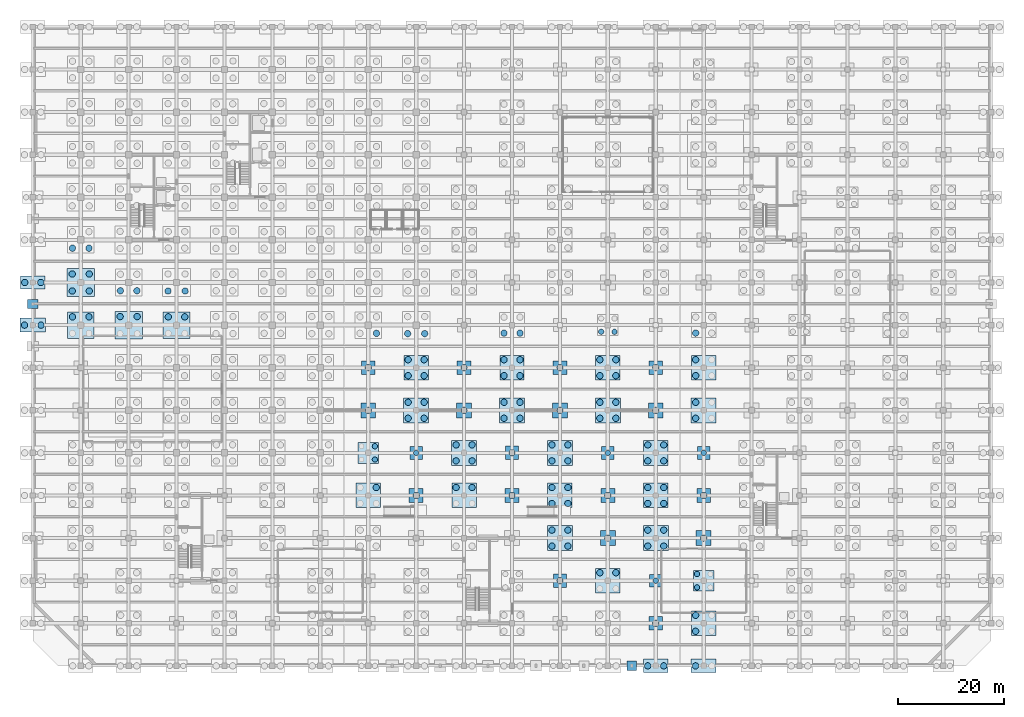
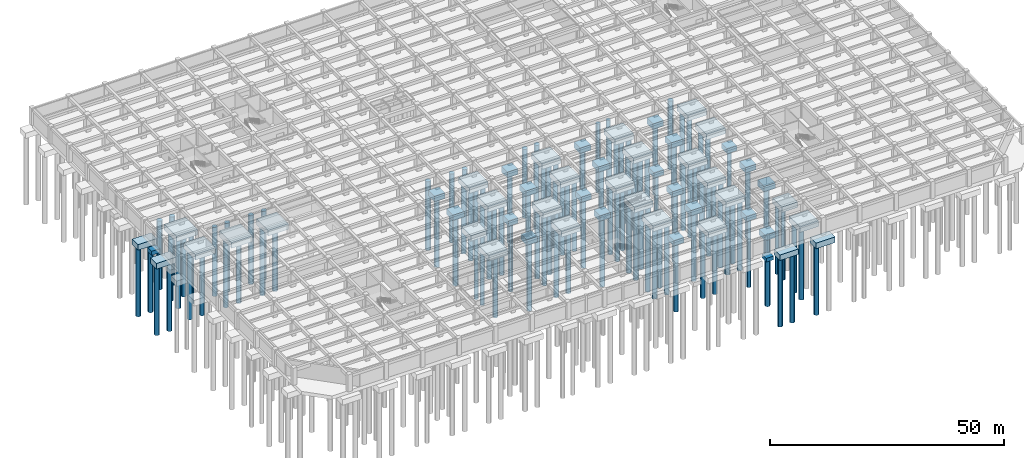
# One storey, part 3 of 31: 119 piles, 52 footings.
"""IFC4 building model written with IfcOpenShell, lengths in metres."""

from ifc_helpers import new_model, si_unit, direction, frame, origin, origin_2d, place, context, subcontext, project, spatial, rectangle, circle, extrude, material, layer, layer_set, material_profile, profile_set, type_object, element, save


model = new_model("IFC4")

# Units and contexts
model_context = context("Model", 3, precision=1e-05, world=origin(), true_north=direction((0.0, 1.0)))
body_context = subcontext(model_context, "Body", "Model", "MODEL_VIEW")
ifc_project = project(units=[si_unit("LENGTHUNIT", "METRE"), si_unit("AREAUNIT", "SQUARE_METRE"), si_unit("VOLUMEUNIT", "CUBIC_METRE"), si_unit("PLANEANGLEUNIT", "RADIAN"), si_unit("MASSUNIT", "GRAM", prefix="KILO")], contexts=[model_context])

# Site, building, storey
site_placement = place(None, origin())
site = spatial("IfcSite", under=ifc_project, at=site_placement, CompositionType="ELEMENT")
building_placement = place(site_placement, origin())
building = spatial("IfcBuilding", under=site, at=building_placement, Name="Zaverband Oceanarium and Marine Research Institute", CompositionType="ELEMENT")
storey_placement = place(building_placement, frame((0.0, 0.0, -9.0)))
storey = spatial("IfcBuildingStorey", under=building, at=storey_placement, Name="B2", CompositionType="ELEMENT", Elevation=-9.0)

# Footings
ifc_material_1 = material(Name="Concrete C50/60", Category="concrete")
ifc_layer_1 = layer(ifc_material_1, 1.39990234375, Name="Concrete C50/60")
ifc_layer_set_1 = layer_set([ifc_layer_1], Name="Concrete C50/60")
footing_type_1 = type_object("IfcFootingType", Name="PC-2400x2400x1400", PredefinedType="PILE_CAP", material=ifc_layer_set_1)
for number, where, z_axis, x_axis, name in (
    (1, (72.0, 40.0, -2.300048828125), (0.0, 0.0, 1.0), (1.0, 0.0, 0.0), "Reinforced concrete pile cap PC-2400x2400x1400"),
    (2, (108.0, 40.0, -2.300048828125), (0.0, 0.0, 1.0), (1.0, 0.0, 0.0), "Reinforced concrete pile cap PC-2400x2400x1400"),
    (3, (117.0, 16.0, -2.300048828125), (0.0, 0.0, 1.0), (1.0, 0.0, 0.0), "Reinforced concrete pile cap PC-2400x2400x1400"),
    (4, (126.0, 40.0, -2.300048828125), (0.0, 0.0, 1.0), (1.0, 0.0, 0.0), "Reinforced concrete pile cap PC-2400x2400x1400"),
):
    element("IfcFooting", number, at=place(storey_placement, frame(where, z_axis=z_axis, x_axis=x_axis)), inside=storey, type_object=footing_type_1, Name=name, PredefinedType="PILE_CAP", context=body_context, shape_type="SweptSolid", body=[
        extrude(rectangle(XDim=2.39990234375, YDim=2.39990234375, at=origin_2d()), origin(), (0.0, 0.0, 1.0), 1.39990234375),
    ])
ifc_layer_2 = layer(ifc_material_1, 1.449951171875, Name="Concrete C50/60")
ifc_layer_set_2 = layer_set([ifc_layer_2], Name="Concrete C50/60")
footing_type_2 = type_object("IfcFootingType", Name="PC-2500x2500x1450", PredefinedType="PILE_CAP", material=ifc_layer_set_2)
for number, where, z_axis, x_axis, name in (
    (5, (90.0, 40.0, -2.35009765625), (0.0, 0.0, 1.0), (1.0, 0.0, 0.0), "Reinforced concrete pile cap PC-2500x2500x1450"),
    (6, (99.0, 16.0, -2.35009765625), (0.0, 0.0, 1.0), (1.0, 0.0, 0.0), "Reinforced concrete pile cap PC-2500x2500x1450"),
):
    element("IfcFooting", number, at=place(storey_placement, frame(where, z_axis=z_axis, x_axis=x_axis)), inside=storey, type_object=footing_type_2, Name=name, PredefinedType="PILE_CAP", context=body_context, shape_type="SweptSolid", body=[
        extrude(rectangle(XDim=2.5, YDim=2.5, at=origin_2d()), origin(), (0.0, 0.0, 1.0), 1.449951171875),
    ])
ifc_layer_3 = layer(ifc_material_1, 1.5, Name="Concrete C50/60")
ifc_layer_set_3 = layer_set([ifc_layer_3], Name="Concrete C50/60")
footing_type_3 = type_object("IfcFootingType", Name="PC-2600x2600x1500", PredefinedType="PILE_CAP", material=ifc_layer_set_3)
for number, where, z_axis, x_axis, name in (
    (7, (63.0, 56.0, -2.39990234375), (0.0, 0.0, 1.0), (1.0, 0.0, 0.0), "Reinforced concrete pile cap PC-2600x2600x1500"),
    (8, (72.0, 32.0, -2.39990234375), (0.0, 0.0, 1.0), (1.0, 0.0, 0.0), "Reinforced concrete pile cap PC-2600x2600x1500"),
    (9, (81.0, 56.0, -2.39990234375), (0.0, 0.0, 1.0), (1.0, 0.0, 0.0), "Reinforced concrete pile cap PC-2600x2600x1500"),
    (10, (90.0, 32.0, -2.39990234375), (0.0, 0.0, 1.0), (1.0, 0.0, 0.0), "Reinforced concrete pile cap PC-2600x2600x1500"),
    (11, (99.0, 56.0, -2.39990234375), (0.0, 0.0, 1.0), (1.0, 0.0, 0.0), "Reinforced concrete pile cap PC-2600x2600x1500"),
    (12, (108.0, 32.0, -2.39990234375), (0.0, 0.0, 1.0), (1.0, 0.0, 0.0), "Reinforced concrete pile cap PC-2600x2600x1500"),
    (13, (117.0, 8.0, -2.39990234375), (0.0, 0.0, 1.0), (1.0, 0.0, 0.0), "Reinforced concrete pile cap PC-2600x2600x1500"),
    (14, (117.0, 56.0, -2.39990234375), (0.0, 0.0, 1.0), (1.0, 0.0, 0.0), "Reinforced concrete pile cap PC-2600x2600x1500"),
    (15, (126.0, 32.0, -2.39990234375), (0.0, 0.0, 1.0), (1.0, 0.0, 0.0), "Reinforced concrete pile cap PC-2600x2600x1500"),
):
    element("IfcFooting", number, at=place(storey_placement, frame(where, z_axis=z_axis, x_axis=x_axis)), inside=storey, type_object=footing_type_3, Name=name, PredefinedType="PILE_CAP", context=body_context, shape_type="SweptSolid", body=[
        extrude(rectangle(XDim=2.60009765625, YDim=2.60009765625, at=origin_2d()), origin(), (0.0, 0.0, 1.0), 1.5),
    ])
ifc_layer_4 = layer(ifc_material_1, 1.5, Name="Concrete C50/60")
ifc_layer_set_4 = layer_set([ifc_layer_4], Name="Concrete C50/60")
footing_type_4 = type_object("IfcFootingType", Name="PC-2800x2800x1500", PredefinedType="PILE_CAP", material=ifc_layer_set_4)
for number, where, z_axis, x_axis, name in (
    (16, (63.0, 48.0, -2.39990234375), (0.0, 0.0, 1.0), (1.0, 0.0, 0.0), "Reinforced concrete pile cap PC-2800x2800x1500"),
    (17, (81.0, 48.0, -2.39990234375), (0.0, 0.0, 1.0), (1.0, 0.0, 0.0), "Reinforced concrete pile cap PC-2800x2800x1500"),
    (18, (99.0, 48.0, -2.39990234375), (0.0, 0.0, 1.0), (1.0, 0.0, 0.0), "Reinforced concrete pile cap PC-2800x2800x1500"),
    (19, (108.0, 24.0, -2.39990234375), (0.0, 0.0, 1.0), (1.0, 0.0, 0.0), "Reinforced concrete pile cap PC-2800x2800x1500"),
    (20, (117.0, 48.0, -2.39990234375), (0.0, 0.0, 1.0), (1.0, 0.0, 0.0), "Reinforced concrete pile cap PC-2800x2800x1500"),
    (21, (126.0, 24.0, -2.39990234375), (0.0, 0.0, 1.0), (1.0, 0.0, 0.0), "Reinforced concrete pile cap PC-2800x2800x1500"),
):
    element("IfcFooting", number, at=place(storey_placement, frame(where, z_axis=z_axis, x_axis=x_axis)), inside=storey, type_object=footing_type_4, Name=name, PredefinedType="PILE_CAP", context=body_context, shape_type="SweptSolid", body=[
        extrude(rectangle(XDim=2.800048828125, YDim=2.800048828125, at=origin_2d()), origin(), (0.0, 0.0, 1.0), 1.5),
    ])
ifc_layer_5 = layer(ifc_material_1, 1.449951171875, Name="Concrete C50/60")
ifc_layer_set_5 = layer_set([ifc_layer_5], Name="Concrete C50/60")
footing_type_5 = type_object("IfcFootingType", Name="PC-3900x3900x1450", PredefinedType="PILE_CAP", material=ifc_layer_set_5)
for number, where, z_axis, x_axis, name in (
    (22, (63.0, 40.0, -2.35009765625), (0.0, 0.0, 1.0), (1.0, 0.0, 0.0), "Reinforced concrete pile cap PC-3900x3900x1450"),
    (23, (126.0, 16.0, -2.35009765625), (0.0, 0.0, 1.0), (1.0, 0.0, 0.0), "Reinforced concrete pile cap PC-3900x3900x1450"),
):
    element("IfcFooting", number, at=place(storey_placement, frame(where, z_axis=z_axis, x_axis=x_axis)), inside=storey, type_object=footing_type_5, Name=name, PredefinedType="PILE_CAP", context=body_context, shape_type="SweptSolid", body=[
        extrude(rectangle(XDim=3.89990234375, YDim=3.89990234375, at=origin_2d()), origin(), (0.0, 0.0, 1.0), 1.449951171875),
    ])
ifc_layer_6 = layer(ifc_material_1, 1.449951171875, Name="Concrete C50/60")
ifc_layer_set_6 = layer_set([ifc_layer_6], Name="Concrete C50/60")
footing_type_6 = type_object("IfcFootingType", Name="PC-4600x2500x1450", PredefinedType="PILE_CAP", material=ifc_layer_set_6)
for number, where, z_axis, x_axis, name in (
    (24, (0.0, 72.0, -2.35009765625), (0.0, 0.0, 1.0), (1.0, 0.0, 0.0), "Reinforced concrete pile cap PC-4600x2500x1450"),
    (25, (117.0, 0.0, -2.35009765625), (0.0, 0.0, 1.0), (1.0, 0.0, 0.0), "Reinforced concrete pile cap PC-4600x2500x1450"),
):
    element("IfcFooting", number, at=place(storey_placement, frame(where, z_axis=z_axis, x_axis=x_axis)), inside=storey, type_object=footing_type_6, Name=name, PredefinedType="PILE_CAP", context=body_context, shape_type="SweptSolid", body=[
        extrude(rectangle(XDim=4.60009765625, YDim=2.5, at=origin_2d()), origin(), (0.0, 0.0, 1.0), 1.449951171875),
    ])
ifc_layer_7 = layer(ifc_material_1, 1.5, Name="Concrete C50/60")
ifc_layer_set_7 = layer_set([ifc_layer_7], Name="Concrete C50/60")
footing_type_7 = type_object("IfcFootingType", Name="PC-4600x4600x1500", PredefinedType="PILE_CAP", material=ifc_layer_set_7)
for number, where, z_axis, x_axis, name in (
    (26, (63.0, 32.0, -2.39990234375), (0.0, 0.0, 1.0), (1.0, 0.0, 0.0), "Reinforced concrete pile cap PC-4600x4600x1500"),
    (27, (72.0, 56.0, -2.39990234375), (0.0, 0.0, 1.0), (1.0, 0.0, 0.0), "Reinforced concrete pile cap PC-4600x4600x1500"),
    (28, (81.0, 32.0, -2.39990234375), (0.0, 0.0, 1.0), (1.0, 0.0, 0.0), "Reinforced concrete pile cap PC-4600x4600x1500"),
    (29, (90.0, 56.0, -2.39990234375), (0.0, 0.0, 1.0), (1.0, 0.0, 0.0), "Reinforced concrete pile cap PC-4600x4600x1500"),
    (30, (99.0, 32.0, -2.39990234375), (0.0, 0.0, 1.0), (1.0, 0.0, 0.0), "Reinforced concrete pile cap PC-4600x4600x1500"),
    (31, (108.0, 56.0, -2.39990234375), (0.0, 0.0, 1.0), (1.0, 0.0, 0.0), "Reinforced concrete pile cap PC-4600x4600x1500"),
    (32, (117.0, 32.0, -2.39990234375), (0.0, 0.0, 1.0), (1.0, 0.0, 0.0), "Reinforced concrete pile cap PC-4600x4600x1500"),
    (33, (126.0, 8.0, -2.39990234375), (0.0, 0.0, 1.0), (1.0, 0.0, 0.0), "Reinforced concrete pile cap PC-4600x4600x1500"),
    (34, (126.0, 56.0, -2.39990234375), (0.0, 0.0, 1.0), (1.0, 0.0, 0.0), "Reinforced concrete pile cap PC-4600x4600x1500"),
):
    element("IfcFooting", number, at=place(storey_placement, frame(where, z_axis=z_axis, x_axis=x_axis)), inside=storey, type_object=footing_type_7, Name=name, PredefinedType="PILE_CAP", context=body_context, shape_type="SweptSolid", body=[
        extrude(rectangle(XDim=4.60009765625, YDim=4.60009765625, at=origin_2d()), origin(), (0.0, 0.0, 1.0), 1.5),
    ])
ifc_layer_8 = layer(ifc_material_1, 1.449951171875, Name="Concrete C50/60")
ifc_layer_set_8 = layer_set([ifc_layer_8], Name="Concrete C50/60")
footing_type_8 = type_object("IfcFootingType", Name="PC-4650x4650x1450", PredefinedType="PILE_CAP", material=ifc_layer_set_8)
for number, where, z_axis, x_axis, name in (
    (35, (81.0, 40.0, -2.35009765625), (0.0, 0.0, 1.0), (1.0, 0.0, 0.0), "Reinforced concrete pile cap PC-4650x4650x1450"),
    (36, (99.0, 40.0, -2.35009765625), (0.0, 0.0, 1.0), (1.0, 0.0, 0.0), "Reinforced concrete pile cap PC-4650x4650x1450"),
    (37, (108.0, 16.0, -2.35009765625), (0.0, 0.0, 1.0), (1.0, 0.0, 0.0), "Reinforced concrete pile cap PC-4650x4650x1450"),
    (38, (117.0, 40.0, -2.35009765625), (0.0, 0.0, 1.0), (1.0, 0.0, 0.0), "Reinforced concrete pile cap PC-4650x4650x1450"),
):
    element("IfcFooting", number, at=place(storey_placement, frame(where, z_axis=z_axis, x_axis=x_axis)), inside=storey, type_object=footing_type_8, Name=name, PredefinedType="PILE_CAP", context=body_context, shape_type="SweptSolid", body=[
        extrude(rectangle(XDim=4.64990234375, YDim=4.64990234375, at=origin_2d()), origin(), (0.0, 0.0, 1.0), 1.449951171875),
    ])
ifc_layer_9 = layer(ifc_material_1, 1.5, Name="Concrete C50/60")
ifc_layer_set_9 = layer_set([ifc_layer_9], Name="Concrete C50/60")
footing_type_9 = type_object("IfcFootingType", Name="PC-4700x2550x1500", PredefinedType="PILE_CAP", material=ifc_layer_set_9)
footing_1_placement = place(storey_placement, frame((126.0, 0.0, -2.39990234375), z_axis=(0.0, 0.0, 1.0), x_axis=(1.0, 0.0, 0.0)))
element("IfcFooting", 39, at=footing_1_placement, inside=storey, type_object=footing_type_9, Name="Reinforced concrete pile cap PC-4700x2550x1500", PredefinedType="PILE_CAP", context=body_context, shape_type="SweptSolid", body=[
    extrude(rectangle(XDim=4.699951171875, YDim=2.550048828125, at=origin_2d()), origin(), (0.0, 0.0, 1.0), 1.5),
])
ifc_layer_10 = layer(ifc_material_1, 1.5, Name="Concrete C50/60")
ifc_layer_set_10 = layer_set([ifc_layer_10], Name="Concrete C50/60")
footing_type_10 = type_object("IfcFootingType", Name="PC-4700x4700x1500", PredefinedType="PILE_CAP", material=ifc_layer_set_10)
for number, where, z_axis, x_axis, name in (
    (40, (72.0, 48.0, -2.39990234375), (0.0, 0.0, 1.0), (1.0, 0.0, 0.0), "Reinforced concrete pile cap PC-4700x4700x1500"),
    (41, (90.0, 48.0, -2.39990234375), (0.0, 0.0, 1.0), (1.0, 0.0, 0.0), "Reinforced concrete pile cap PC-4700x4700x1500"),
    (42, (99.0, 24.0, -2.39990234375), (0.0, 0.0, 1.0), (1.0, 0.0, 0.0), "Reinforced concrete pile cap PC-4700x4700x1500"),
    (43, (108.0, 48.0, -2.39990234375), (0.0, 0.0, 1.0), (1.0, 0.0, 0.0), "Reinforced concrete pile cap PC-4700x4700x1500"),
    (44, (117.0, 24.0, -2.39990234375), (0.0, 0.0, 1.0), (1.0, 0.0, 0.0), "Reinforced concrete pile cap PC-4700x4700x1500"),
    (45, (126.0, 48.0, -2.39990234375), (0.0, 0.0, 1.0), (1.0, 0.0, 0.0), "Reinforced concrete pile cap PC-4700x4700x1500"),
):
    element("IfcFooting", number, at=place(storey_placement, frame(where, z_axis=z_axis, x_axis=x_axis)), inside=storey, type_object=footing_type_10, Name=name, PredefinedType="PILE_CAP", context=body_context, shape_type="SweptSolid", body=[
        extrude(rectangle(XDim=4.699951171875, YDim=4.699951171875, at=origin_2d()), origin(), (0.0, 0.0, 1.0), 1.5),
    ])
ifc_layer_11 = layer(ifc_material_1, 1.5, Name="Concrete C50/60")
ifc_layer_set_11 = layer_set([ifc_layer_11], Name="Concrete C50/60")
footing_type_11 = type_object("IfcFootingType", Name="PC-4800x2600x1500", PredefinedType="PILE_CAP", material=ifc_layer_set_11)
footing_2_placement = place(storey_placement, frame((0.0, 64.0, -2.39990234375), z_axis=(0.0, 0.0, 1.0), x_axis=(1.0, 0.0, 0.0)))
element("IfcFooting", 46, at=footing_2_placement, inside=storey, type_object=footing_type_11, Name="Reinforced concrete pile cap PC-4800x2600x1500", PredefinedType="PILE_CAP", context=body_context, shape_type="SweptSolid", body=[
    extrude(rectangle(XDim=4.800048828125, YDim=2.60009765625, at=origin_2d()), origin(), (0.0, 0.0, 1.0), 1.5),
])
ifc_layer_12 = layer(ifc_material_1, 1.5, Name="Concrete C50/60")
ifc_layer_set_12 = layer_set([ifc_layer_12], Name="Concrete C50/60")
footing_type_12 = type_object("IfcFootingType", Name="PC-5000x5000x1500", PredefinedType="PILE_CAP", material=ifc_layer_set_12)
for number, where, z_axis, x_axis, name in (
    (47, (9.0, 64.0, -2.39990234375), (0.0, 0.0, 1.0), (1.0, 0.0, 0.0), "Reinforced concrete pile cap PC-5000x5000x1500"),
    (48, (27.0, 64.0, -2.39990234375), (0.0, 0.0, 1.0), (1.0, 0.0, 0.0), "Reinforced concrete pile cap PC-5000x5000x1500"),
):
    element("IfcFooting", number, at=place(storey_placement, frame(where, z_axis=z_axis, x_axis=x_axis)), inside=storey, type_object=footing_type_12, Name=name, PredefinedType="PILE_CAP", context=body_context, shape_type="SweptSolid", body=[
        extrude(rectangle(XDim=5.0, YDim=5.0, at=origin_2d()), origin(), (0.0, 0.0, 1.0), 1.5),
    ])
ifc_layer_13 = layer(ifc_material_1, 1.5, Name="Concrete C50/60")
ifc_layer_set_13 = layer_set([ifc_layer_13], Name="Concrete C50/60")
footing_type_13 = type_object("IfcFootingType", Name="PC-5200x5200x1500", PredefinedType="PILE_CAP", material=ifc_layer_set_13)
for number, where, z_axis, x_axis, name in (
    (49, (9.0, 72.0, -2.39990234375), (0.0, 0.0, 1.0), (1.0, 0.0, 0.0), "Reinforced concrete pile cap PC-5200x5200x1500"),
    (50, (18.0, 64.0, -2.39990234375), (0.0, 0.0, 1.0), (1.0, 0.0, 0.0), "Reinforced concrete pile cap PC-5200x5200x1500"),
):
    element("IfcFooting", number, at=place(storey_placement, frame(where, z_axis=z_axis, x_axis=x_axis)), inside=storey, type_object=footing_type_13, Name=name, PredefinedType="PILE_CAP", context=body_context, shape_type="SweptSolid", body=[
        extrude(rectangle(XDim=5.199951171875, YDim=5.199951171875, at=origin_2d()), origin(), (0.0, 0.0, 1.0), 1.5),
    ])
ifc_material_2 = material(Name="Concrete C40/50", Category="concrete")
ifc_layer_14 = layer(ifc_material_2, 0.949951171875, Name="Concrete C40/50")
ifc_layer_set_14 = layer_set([ifc_layer_14], Name="Concrete C40/50")
footing_type_14 = type_object("IfcFootingType", Name="PF-1800x1800x950", PredefinedType="PAD_FOOTING", material=ifc_layer_set_14)
footing_3_placement = place(storey_placement, frame((112.5, 0.0, -1.85009765625), z_axis=(0.0, 0.0, 1.0), x_axis=(1.0, 0.0, 0.0)))
element("IfcFooting", 51, at=footing_3_placement, inside=storey, type_object=footing_type_14, Name="Isolated pad footing PF-1800x1800x950", PredefinedType="PAD_FOOTING", context=body_context, shape_type="SweptSolid", body=[
    extrude(rectangle(XDim=1.800048828125, YDim=1.800048828125, at=origin_2d()), origin(), (0.0, 0.0, 1.0), 0.949951171875),
])
ifc_layer_15 = layer(ifc_material_2, 1.050048828125, Name="Concrete C40/50")
ifc_layer_set_15 = layer_set([ifc_layer_15], Name="Concrete C40/50")
footing_type_15 = type_object("IfcFootingType", Name="PF-2000x1700x1050", PredefinedType="PAD_FOOTING", material=ifc_layer_set_15)
footing_4_placement = place(storey_placement, frame((0.0, 68.0, -1.9501953125), z_axis=(0.0, 0.0, 1.0), x_axis=(1.0, 0.0, 0.0)))
element("IfcFooting", 52, at=footing_4_placement, inside=storey, type_object=footing_type_15, Name="Isolated pad footing PF-2000x1700x1050", PredefinedType="PAD_FOOTING", context=body_context, shape_type="SweptSolid", body=[
    extrude(rectangle(XDim=2.0, YDim=1.699951171875, at=origin_2d()), origin(), (0.0, 0.0, 1.0), 1.050048828125),
])

# Piles
ifc_material_profile_1 = material_profile(ifc_material_1, circle(Radius=0.5, at=origin_2d()), Name="BP1000")
ifc_profile_set_1 = profile_set([ifc_material_profile_1], Name="Concrete C50/60")
pile_type_1 = type_object("IfcPileType", Name="PL-BP1000", PredefinedType="BORED", material=ifc_profile_set_1)
for number, where, z_axis, x_axis, name in (
    (53, (64.25, 38.75, -2.35009765625), (0.0, 0.0, -1.0), (1.0, 0.0, 0.0), "Rotary bored cast-in-place pile PL-BP1000"),
    (54, (64.25, 41.25, -2.35009765625), (0.0, 0.0, -1.0), (1.0, 0.0, 0.0), "Rotary bored cast-in-place pile PL-BP1000"),
    (55, (72.0, 40.0, -2.300048828125), (0.0, 0.0, -1.0), (1.0, 0.0, 0.0), "Rotary bored cast-in-place pile PL-BP1000"),
    (56, (108.0, 40.0, -2.300048828125), (0.0, 0.0, -1.0), (1.0, 0.0, 0.0), "Rotary bored cast-in-place pile PL-BP1000"),
    (57, (106.75, 62.75, -2.35009765625), (0.0, 0.0, -1.0), (1.0, 0.0, 0.0), "Rotary bored cast-in-place pile PL-BP1000"),
    (58, (109.25, 62.75, -2.35009765625), (0.0, 0.0, -1.0), (1.0, 0.0, 0.0), "Rotary bored cast-in-place pile PL-BP1000"),
    (59, (117.0, 16.0, -2.300048828125), (0.0, 0.0, -1.0), (1.0, 0.0, 0.0), "Rotary bored cast-in-place pile PL-BP1000"),
    (60, (124.75, 14.75, -2.35009765625), (0.0, 0.0, -1.0), (1.0, 0.0, 0.0), "Rotary bored cast-in-place pile PL-BP1000"),
    (61, (124.75, 17.25, -2.35009765625), (0.0, 0.0, -1.0), (1.0, 0.0, 0.0), "Rotary bored cast-in-place pile PL-BP1000"),
    (62, (126.0, 40.0, -2.300048828125), (0.0, 0.0, -1.0), (1.0, 0.0, 0.0), "Rotary bored cast-in-place pile PL-BP1000"),
):
    element("IfcPile", number, at=place(storey_placement, frame(where, z_axis=z_axis, x_axis=x_axis)), inside=storey, type_object=pile_type_1, Name=name, PredefinedType="BORED", context=body_context, shape_type="SweptSolid", body=[
        extrude(circle(Radius=0.5, at=origin_2d()), origin(), (0.0, 0.0, 1.0), 18.0),
    ])
ifc_material_profile_2 = material_profile(ifc_material_1, circle(Radius=0.60009765625, at=origin_2d()), Name="BP1200")
ifc_profile_set_2 = profile_set([ifc_material_profile_2], Name="Concrete C50/60")
pile_type_2 = type_object("IfcPileType", Name="PL-BP1200", PredefinedType="BORED", material=ifc_profile_set_2)
for number, where, z_axis, x_axis, name in (
    (63, (-1.550048828125, 64.0, -2.39990234375), (0.0, 0.0, -1.0), (1.0, 0.0, 0.0), "Rotary bored cast-in-place pile PL-BP1200"),
    (64, (1.550048828125, 64.0, -2.39990234375), (0.0, 0.0, -1.0), (1.0, 0.0, 0.0), "Rotary bored cast-in-place pile PL-BP1200"),
    (65, (-1.5, 72.0, -2.35009765625), (0.0, 0.0, -1.0), (1.0, 0.0, 0.0), "Rotary bored cast-in-place pile PL-BP1200"),
    (66, (1.5, 72.0, -2.35009765625), (0.0, 0.0, -1.0), (1.0, 0.0, 0.0), "Rotary bored cast-in-place pile PL-BP1200"),
    (67, (7.449951171875, 65.550048828125, -2.39990234375), (0.0, 0.0, -1.0), (1.0, 0.0, 0.0), "Rotary bored cast-in-place pile PL-BP1200"),
    (68, (10.550048828125, 65.550048828125, -2.39990234375), (0.0, 0.0, -1.0), (1.0, 0.0, 0.0), "Rotary bored cast-in-place pile PL-BP1200"),
    (69, (7.39990234375, 70.39990234375, -2.39990234375), (0.0, 0.0, -1.0), (1.0, 0.0, 0.0), "Rotary bored cast-in-place pile PL-BP1200"),
    (70, (10.60009765625, 70.39990234375, -2.39990234375), (0.0, 0.0, -1.0), (1.0, 0.0, 0.0), "Rotary bored cast-in-place pile PL-BP1200"),
    (71, (7.39990234375, 73.60009765625, -2.39990234375), (0.0, 0.0, -1.0), (1.0, 0.0, 0.0), "Rotary bored cast-in-place pile PL-BP1200"),
    (72, (10.60009765625, 73.60009765625, -2.39990234375), (0.0, 0.0, -1.0), (1.0, 0.0, 0.0), "Rotary bored cast-in-place pile PL-BP1200"),
    (73, (7.449951171875, 78.449951171875, -2.39990234375), (0.0, 0.0, -1.0), (1.0, 0.0, 0.0), "Rotary bored cast-in-place pile PL-BP1200"),
    (74, (10.550048828125, 78.449951171875, -2.39990234375), (0.0, 0.0, -1.0), (1.0, 0.0, 0.0), "Rotary bored cast-in-place pile PL-BP1200"),
    (75, (16.39990234375, 65.60009765625, -2.39990234375), (0.0, 0.0, -1.0), (1.0, 0.0, 0.0), "Rotary bored cast-in-place pile PL-BP1200"),
    (76, (19.60009765625, 65.60009765625, -2.39990234375), (0.0, 0.0, -1.0), (1.0, 0.0, 0.0), "Rotary bored cast-in-place pile PL-BP1200"),
    (77, (16.449951171875, 70.449951171875, -2.39990234375), (0.0, 0.0, -1.0), (1.0, 0.0, 0.0), "Rotary bored cast-in-place pile PL-BP1200"),
    (78, (19.550048828125, 70.449951171875, -2.39990234375), (0.0, 0.0, -1.0), (1.0, 0.0, 0.0), "Rotary bored cast-in-place pile PL-BP1200"),
    (79, (25.449951171875, 65.550048828125, -2.39990234375), (0.0, 0.0, -1.0), (1.0, 0.0, 0.0), "Rotary bored cast-in-place pile PL-BP1200"),
    (80, (28.550048828125, 65.550048828125, -2.39990234375), (0.0, 0.0, -1.0), (1.0, 0.0, 0.0), "Rotary bored cast-in-place pile PL-BP1200"),
    (81, (25.39990234375, 70.39990234375, -2.39990234375), (0.0, 0.0, -1.0), (1.0, 0.0, 0.0), "Rotary bored cast-in-place pile PL-BP1200"),
    (82, (28.60009765625, 70.39990234375, -2.39990234375), (0.0, 0.0, -1.0), (1.0, 0.0, 0.0), "Rotary bored cast-in-place pile PL-BP1200"),
    (83, (64.5, 33.5, -2.39990234375), (0.0, 0.0, -1.0), (1.0, 0.0, 0.0), "Rotary bored cast-in-place pile PL-BP1200"),
    (84, (63.0, 48.0, -2.39990234375), (0.0, 0.0, -1.0), (1.0, 0.0, 0.0), "Rotary bored cast-in-place pile PL-BP1200"),
    (85, (63.0, 56.0, -2.39990234375), (0.0, 0.0, -1.0), (1.0, 0.0, 0.0), "Rotary bored cast-in-place pile PL-BP1200"),
    (86, (64.550048828125, 62.449951171875, -2.39990234375), (0.0, 0.0, -1.0), (1.0, 0.0, 0.0), "Rotary bored cast-in-place pile PL-BP1200"),
    (87, (72.0, 32.0, -2.39990234375), (0.0, 0.0, -1.0), (1.0, 0.0, 0.0), "Rotary bored cast-in-place pile PL-BP1200"),
    (88, (70.5, 46.5, -2.39990234375), (0.0, 0.0, -1.0), (1.0, 0.0, 0.0), "Rotary bored cast-in-place pile PL-BP1200"),
    (89, (73.5, 46.5, -2.39990234375), (0.0, 0.0, -1.0), (1.0, 0.0, 0.0), "Rotary bored cast-in-place pile PL-BP1200"),
    (90, (70.5, 49.5, -2.39990234375), (0.0, 0.0, -1.0), (1.0, 0.0, 0.0), "Rotary bored cast-in-place pile PL-BP1200"),
    (91, (73.5, 49.5, -2.39990234375), (0.0, 0.0, -1.0), (1.0, 0.0, 0.0), "Rotary bored cast-in-place pile PL-BP1200"),
    (92, (70.5, 54.5, -2.39990234375), (0.0, 0.0, -1.0), (1.0, 0.0, 0.0), "Rotary bored cast-in-place pile PL-BP1200"),
    (93, (73.5, 54.5, -2.39990234375), (0.0, 0.0, -1.0), (1.0, 0.0, 0.0), "Rotary bored cast-in-place pile PL-BP1200"),
    (94, (70.5, 57.5, -2.39990234375), (0.0, 0.0, -1.0), (1.0, 0.0, 0.0), "Rotary bored cast-in-place pile PL-BP1200"),
    (95, (73.5, 57.5, -2.39990234375), (0.0, 0.0, -1.0), (1.0, 0.0, 0.0), "Rotary bored cast-in-place pile PL-BP1200"),
    (96, (70.39990234375, 62.39990234375, -2.39990234375), (0.0, 0.0, -1.0), (1.0, 0.0, 0.0), "Rotary bored cast-in-place pile PL-BP1200"),
    (97, (73.60009765625, 62.39990234375, -2.39990234375), (0.0, 0.0, -1.0), (1.0, 0.0, 0.0), "Rotary bored cast-in-place pile PL-BP1200"),
    (98, (79.5, 33.5, -2.39990234375), (0.0, 0.0, -1.0), (1.0, 0.0, 0.0), "Rotary bored cast-in-place pile PL-BP1200"),
    (99, (82.5, 33.5, -2.39990234375), (0.0, 0.0, -1.0), (1.0, 0.0, 0.0), "Rotary bored cast-in-place pile PL-BP1200"),
    (100, (79.5, 38.5, -2.35009765625), (0.0, 0.0, -1.0), (1.0, 0.0, 0.0), "Rotary bored cast-in-place pile PL-BP1200"),
    (101, (82.5, 38.5, -2.35009765625), (0.0, 0.0, -1.0), (1.0, 0.0, 0.0), "Rotary bored cast-in-place pile PL-BP1200"),
    (102, (79.5, 41.5, -2.35009765625), (0.0, 0.0, -1.0), (1.0, 0.0, 0.0), "Rotary bored cast-in-place pile PL-BP1200"),
    (103, (82.5, 41.5, -2.35009765625), (0.0, 0.0, -1.0), (1.0, 0.0, 0.0), "Rotary bored cast-in-place pile PL-BP1200"),
    (104, (81.0, 48.0, -2.39990234375), (0.0, 0.0, -1.0), (1.0, 0.0, 0.0), "Rotary bored cast-in-place pile PL-BP1200"),
    (105, (81.0, 56.0, -2.39990234375), (0.0, 0.0, -1.0), (1.0, 0.0, 0.0), "Rotary bored cast-in-place pile PL-BP1200"),
    (106, (90.0, 32.0, -2.39990234375), (0.0, 0.0, -1.0), (1.0, 0.0, 0.0), "Rotary bored cast-in-place pile PL-BP1200"),
    (107, (90.0, 40.0, -2.35009765625), (0.0, 0.0, -1.0), (1.0, 0.0, 0.0), "Rotary bored cast-in-place pile PL-BP1200"),
    (108, (88.5, 46.5, -2.39990234375), (0.0, 0.0, -1.0), (1.0, 0.0, 0.0), "Rotary bored cast-in-place pile PL-BP1200"),
    (109, (91.5, 46.5, -2.39990234375), (0.0, 0.0, -1.0), (1.0, 0.0, 0.0), "Rotary bored cast-in-place pile PL-BP1200"),
    (110, (88.5, 49.5, -2.39990234375), (0.0, 0.0, -1.0), (1.0, 0.0, 0.0), "Rotary bored cast-in-place pile PL-BP1200"),
    (111, (91.5, 49.5, -2.39990234375), (0.0, 0.0, -1.0), (1.0, 0.0, 0.0), "Rotary bored cast-in-place pile PL-BP1200"),
    (112, (88.5, 54.5, -2.39990234375), (0.0, 0.0, -1.0), (1.0, 0.0, 0.0), "Rotary bored cast-in-place pile PL-BP1200"),
    (113, (91.5, 54.5, -2.39990234375), (0.0, 0.0, -1.0), (1.0, 0.0, 0.0), "Rotary bored cast-in-place pile PL-BP1200"),
    (114, (88.5, 57.5, -2.39990234375), (0.0, 0.0, -1.0), (1.0, 0.0, 0.0), "Rotary bored cast-in-place pile PL-BP1200"),
    (115, (91.5, 57.5, -2.39990234375), (0.0, 0.0, -1.0), (1.0, 0.0, 0.0), "Rotary bored cast-in-place pile PL-BP1200"),
    (116, (88.5, 62.5, -2.35009765625), (0.0, 0.0, -1.0), (1.0, 0.0, 0.0), "Rotary bored cast-in-place pile PL-BP1200"),
    (117, (91.5, 62.5, -2.35009765625), (0.0, 0.0, -1.0), (1.0, 0.0, 0.0), "Rotary bored cast-in-place pile PL-BP1200"),
    (118, (99.0, 16.0, -2.35009765625), (0.0, 0.0, -1.0), (1.0, 0.0, 0.0), "Rotary bored cast-in-place pile PL-BP1200"),
    (119, (97.5, 22.5, -2.39990234375), (0.0, 0.0, -1.0), (1.0, 0.0, 0.0), "Rotary bored cast-in-place pile PL-BP1200"),
    (120, (100.5, 22.5, -2.39990234375), (0.0, 0.0, -1.0), (1.0, 0.0, 0.0), "Rotary bored cast-in-place pile PL-BP1200"),
    (121, (97.5, 25.5, -2.39990234375), (0.0, 0.0, -1.0), (1.0, 0.0, 0.0), "Rotary bored cast-in-place pile PL-BP1200"),
    (122, (100.5, 25.5, -2.39990234375), (0.0, 0.0, -1.0), (1.0, 0.0, 0.0), "Rotary bored cast-in-place pile PL-BP1200"),
    (123, (97.5, 30.5, -2.39990234375), (0.0, 0.0, -1.0), (1.0, 0.0, 0.0), "Rotary bored cast-in-place pile PL-BP1200"),
    (124, (100.5, 30.5, -2.39990234375), (0.0, 0.0, -1.0), (1.0, 0.0, 0.0), "Rotary bored cast-in-place pile PL-BP1200"),
    (125, (97.5, 33.5, -2.39990234375), (0.0, 0.0, -1.0), (1.0, 0.0, 0.0), "Rotary bored cast-in-place pile PL-BP1200"),
    (126, (100.5, 33.5, -2.39990234375), (0.0, 0.0, -1.0), (1.0, 0.0, 0.0), "Rotary bored cast-in-place pile PL-BP1200"),
    (127, (97.5, 38.5, -2.35009765625), (0.0, 0.0, -1.0), (1.0, 0.0, 0.0), "Rotary bored cast-in-place pile PL-BP1200"),
    (128, (100.5, 38.5, -2.35009765625), (0.0, 0.0, -1.0), (1.0, 0.0, 0.0), "Rotary bored cast-in-place pile PL-BP1200"),
    (129, (97.5, 41.5, -2.35009765625), (0.0, 0.0, -1.0), (1.0, 0.0, 0.0), "Rotary bored cast-in-place pile PL-BP1200"),
    (130, (100.5, 41.5, -2.35009765625), (0.0, 0.0, -1.0), (1.0, 0.0, 0.0), "Rotary bored cast-in-place pile PL-BP1200"),
    (131, (99.0, 48.0, -2.39990234375), (0.0, 0.0, -1.0), (1.0, 0.0, 0.0), "Rotary bored cast-in-place pile PL-BP1200"),
    (132, (99.0, 56.0, -2.39990234375), (0.0, 0.0, -1.0), (1.0, 0.0, 0.0), "Rotary bored cast-in-place pile PL-BP1200"),
    (133, (106.5, 17.5, -2.35009765625), (0.0, 0.0, -1.0), (1.0, 0.0, 0.0), "Rotary bored cast-in-place pile PL-BP1200"),
    (134, (109.5, 17.5, -2.35009765625), (0.0, 0.0, -1.0), (1.0, 0.0, 0.0), "Rotary bored cast-in-place pile PL-BP1200"),
    (135, (108.0, 24.0, -2.39990234375), (0.0, 0.0, -1.0), (1.0, 0.0, 0.0), "Rotary bored cast-in-place pile PL-BP1200"),
    (136, (108.0, 32.0, -2.39990234375), (0.0, 0.0, -1.0), (1.0, 0.0, 0.0), "Rotary bored cast-in-place pile PL-BP1200"),
    (137, (106.5, 46.5, -2.39990234375), (0.0, 0.0, -1.0), (1.0, 0.0, 0.0), "Rotary bored cast-in-place pile PL-BP1200"),
    (138, (109.5, 46.5, -2.39990234375), (0.0, 0.0, -1.0), (1.0, 0.0, 0.0), "Rotary bored cast-in-place pile PL-BP1200"),
    (139, (106.5, 49.5, -2.39990234375), (0.0, 0.0, -1.0), (1.0, 0.0, 0.0), "Rotary bored cast-in-place pile PL-BP1200"),
    (140, (109.5, 49.5, -2.39990234375), (0.0, 0.0, -1.0), (1.0, 0.0, 0.0), "Rotary bored cast-in-place pile PL-BP1200"),
    (141, (106.5, 54.5, -2.39990234375), (0.0, 0.0, -1.0), (1.0, 0.0, 0.0), "Rotary bored cast-in-place pile PL-BP1200"),
    (142, (109.5, 54.5, -2.39990234375), (0.0, 0.0, -1.0), (1.0, 0.0, 0.0), "Rotary bored cast-in-place pile PL-BP1200"),
    (143, (106.5, 57.5, -2.39990234375), (0.0, 0.0, -1.0), (1.0, 0.0, 0.0), "Rotary bored cast-in-place pile PL-BP1200"),
    (144, (109.5, 57.5, -2.39990234375), (0.0, 0.0, -1.0), (1.0, 0.0, 0.0), "Rotary bored cast-in-place pile PL-BP1200"),
    (145, (115.5, 0.0, -2.35009765625), (0.0, 0.0, -1.0), (1.0, 0.0, 0.0), "Rotary bored cast-in-place pile PL-BP1200"),
    (146, (118.5, 0.0, -2.35009765625), (0.0, 0.0, -1.0), (1.0, 0.0, 0.0), "Rotary bored cast-in-place pile PL-BP1200"),
    (147, (117.0, 8.0, -2.39990234375), (0.0, 0.0, -1.0), (1.0, 0.0, 0.0), "Rotary bored cast-in-place pile PL-BP1200"),
    (148, (115.5, 22.5, -2.39990234375), (0.0, 0.0, -1.0), (1.0, 0.0, 0.0), "Rotary bored cast-in-place pile PL-BP1200"),
    (149, (118.5, 22.5, -2.39990234375), (0.0, 0.0, -1.0), (1.0, 0.0, 0.0), "Rotary bored cast-in-place pile PL-BP1200"),
    (150, (115.5, 25.5, -2.39990234375), (0.0, 0.0, -1.0), (1.0, 0.0, 0.0), "Rotary bored cast-in-place pile PL-BP1200"),
    (151, (118.5, 25.5, -2.39990234375), (0.0, 0.0, -1.0), (1.0, 0.0, 0.0), "Rotary bored cast-in-place pile PL-BP1200"),
    (152, (115.5, 30.5, -2.39990234375), (0.0, 0.0, -1.0), (1.0, 0.0, 0.0), "Rotary bored cast-in-place pile PL-BP1200"),
    (153, (118.5, 30.5, -2.39990234375), (0.0, 0.0, -1.0), (1.0, 0.0, 0.0), "Rotary bored cast-in-place pile PL-BP1200"),
    (154, (115.5, 33.5, -2.39990234375), (0.0, 0.0, -1.0), (1.0, 0.0, 0.0), "Rotary bored cast-in-place pile PL-BP1200"),
    (155, (118.5, 33.5, -2.39990234375), (0.0, 0.0, -1.0), (1.0, 0.0, 0.0), "Rotary bored cast-in-place pile PL-BP1200"),
    (156, (115.5, 38.5, -2.35009765625), (0.0, 0.0, -1.0), (1.0, 0.0, 0.0), "Rotary bored cast-in-place pile PL-BP1200"),
    (157, (118.5, 38.5, -2.35009765625), (0.0, 0.0, -1.0), (1.0, 0.0, 0.0), "Rotary bored cast-in-place pile PL-BP1200"),
    (158, (115.5, 41.5, -2.35009765625), (0.0, 0.0, -1.0), (1.0, 0.0, 0.0), "Rotary bored cast-in-place pile PL-BP1200"),
    (159, (118.5, 41.5, -2.35009765625), (0.0, 0.0, -1.0), (1.0, 0.0, 0.0), "Rotary bored cast-in-place pile PL-BP1200"),
    (160, (117.0, 48.0, -2.39990234375), (0.0, 0.0, -1.0), (1.0, 0.0, 0.0), "Rotary bored cast-in-place pile PL-BP1200"),
    (161, (117.0, 56.0, -2.39990234375), (0.0, 0.0, -1.0), (1.0, 0.0, 0.0), "Rotary bored cast-in-place pile PL-BP1200"),
    (162, (124.47509765625, 0.0, -2.39990234375), (0.0, 0.0, -1.0), (1.0, 0.0, 0.0), "Rotary bored cast-in-place pile PL-BP1200"),
    (163, (124.5, 6.5, -2.39990234375), (0.0, 0.0, -1.0), (1.0, 0.0, 0.0), "Rotary bored cast-in-place pile PL-BP1200"),
    (164, (124.5, 9.5, -2.39990234375), (0.0, 0.0, -1.0), (1.0, 0.0, 0.0), "Rotary bored cast-in-place pile PL-BP1200"),
    (165, (126.0, 24.0, -2.39990234375), (0.0, 0.0, -1.0), (1.0, 0.0, 0.0), "Rotary bored cast-in-place pile PL-BP1200"),
    (166, (126.0, 32.0, -2.39990234375), (0.0, 0.0, -1.0), (1.0, 0.0, 0.0), "Rotary bored cast-in-place pile PL-BP1200"),
    (167, (124.5, 46.5, -2.39990234375), (0.0, 0.0, -1.0), (1.0, 0.0, 0.0), "Rotary bored cast-in-place pile PL-BP1200"),
    (168, (124.5, 49.5, -2.39990234375), (0.0, 0.0, -1.0), (1.0, 0.0, 0.0), "Rotary bored cast-in-place pile PL-BP1200"),
    (169, (124.5, 54.5, -2.39990234375), (0.0, 0.0, -1.0), (1.0, 0.0, 0.0), "Rotary bored cast-in-place pile PL-BP1200"),
    (170, (124.5, 57.5, -2.39990234375), (0.0, 0.0, -1.0), (1.0, 0.0, 0.0), "Rotary bored cast-in-place pile PL-BP1200"),
    (171, (124.5, 62.5, -2.35009765625), (0.0, 0.0, -1.0), (1.0, 0.0, 0.0), "Rotary bored cast-in-place pile PL-BP1200"),
):
    element("IfcPile", number, at=place(storey_placement, frame(where, z_axis=z_axis, x_axis=x_axis)), inside=storey, type_object=pile_type_2, Name=name, PredefinedType="BORED", context=body_context, shape_type="SweptSolid", body=[
        extrude(circle(Radius=0.60009765625, at=origin_2d()), origin(), (0.0, 0.0, 1.0), 18.0),
    ])

save(model, "model.ifc")
